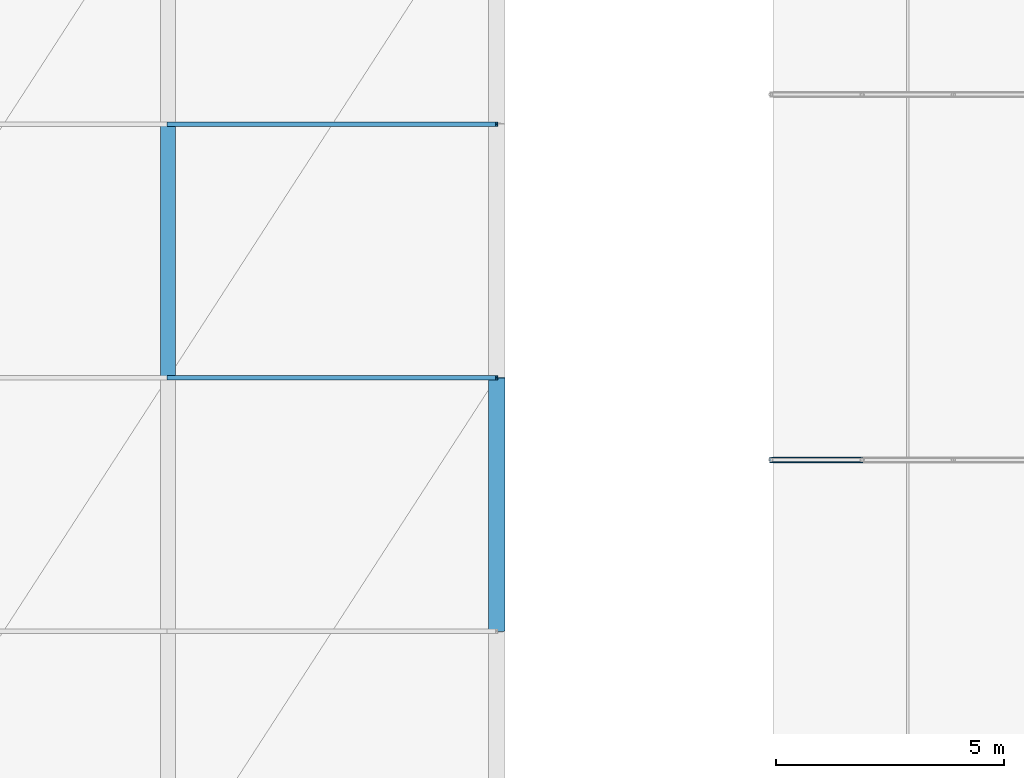
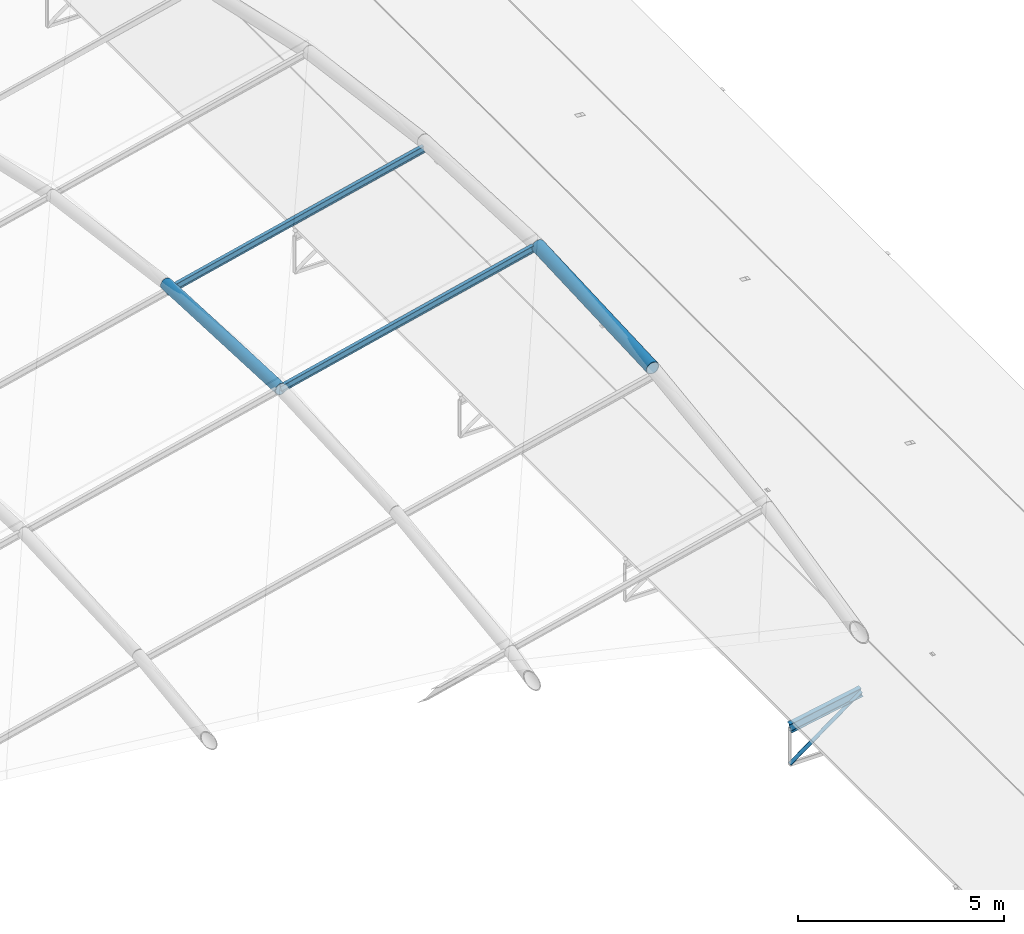
# One storey, part 11 of 54: 6 members.
"""IFC4 building model written with IfcOpenShell, lengths in metres."""

from ifc_helpers import new_model, si_unit, derived_unit, direction, frame, origin, origin_2d, place, context, subcontext, project, spatial, hollow_circle, i_section, extrude, material, material_profile, profile_set, type_object, element, save


model = new_model("IFC4")

# Units and contexts
model_context = context("Model", 3, precision=1e-05, world=origin(), true_north=direction((0.0, 1.0)))
body_context = subcontext(model_context, "Body", "Model", "MODEL_VIEW")
ifc_project = project(units=[si_unit("LENGTHUNIT", "METRE"), si_unit("AREAUNIT", "SQUARE_METRE"), si_unit("VOLUMEUNIT", "CUBIC_METRE"), si_unit("PLANEANGLEUNIT", "RADIAN"), si_unit("MASSUNIT", "GRAM", prefix="KILO"), derived_unit("THERMALTRANSMITTANCEUNIT", [(si_unit("POWERUNIT", "WATT"), 1), (si_unit("LENGTHUNIT", "METRE"), -2), (si_unit("THERMODYNAMICTEMPERATUREUNIT", "KELVIN"), -1)])], contexts=[model_context])

# Site, building, storey
site_placement = place(None, origin())
site = spatial("IfcSite", under=ifc_project, at=site_placement, CompositionType="ELEMENT")
building_placement = place(site_placement, origin())
building = spatial("IfcBuilding", under=site, at=building_placement, Name="Keldorne Ridge Multi-Sports Centre", CompositionType="ELEMENT")
storey_placement = place(building_placement, frame((0.0, 0.0, 22.199951171875)))
storey = spatial("IfcBuildingStorey", under=building, at=storey_placement, Name="ROOF", CompositionType="ELEMENT", Elevation=22.199951171875)

# Members
ifc_material = material(Name="Steel S355", Category="steel")
ifc_material_profile_1 = material_profile(ifc_material, i_section(OverallWidth=0.10009765625, OverallDepth=0.199951171875, WebThickness=0.005615234375, FlangeThickness=0.008544921875, FilletRadius=0.011962890625, at=origin_2d()), Name="IPE 200")
ifc_profile_set_1 = profile_set([ifc_material_profile_1], Name="Steel S355")
member_type_1 = type_object("IfcMemberType", Name="MEM-PR-01", PredefinedType="PURLIN", material=ifc_profile_set_1)
for number, where, z_axis, x_axis, name in (
    (1, (70.800048828125, 31.800048828125, 0.920166015625), (0.972632545932, 0.0, 0.232348726259), (0.0, 1.0, 0.0), "Main Hall roof purlin 10.5"),
    (2, (70.800048828125, 37.35009765625, 0.420166015625), (0.972632545932, 0.0, 0.232348726259), (0.0, 1.0, 0.0), "Main Hall roof purlin 10.6"),
):
    element("IfcMember", number, at=place(storey_placement, frame(where, z_axis=z_axis, x_axis=x_axis)), inside=storey, type_object=member_type_1, Name=name, PredefinedType="PURLIN", context=body_context, shape_type="SweptSolid", body=[
        extrude(i_section(OverallWidth=0.10009765625, OverallDepth=0.199951171875, WebThickness=0.005615234375, FlangeThickness=0.008544921875, FilletRadius=0.011962890625, at=origin_2d()), origin(), (0.0, 0.0, 1.0), 7.402587890625),
    ])
ifc_material_profile_2 = material_profile(ifc_material, i_section(OverallWidth=0.135009765625, OverallDepth=0.27001953125, WebThickness=0.006591796875, FlangeThickness=0.01025390625, FilletRadius=0.014892578125, at=origin_2d()), Name="IPE 270")
ifc_profile_set_2 = profile_set([ifc_material_profile_2], Name="Steel S355")
member_type_2 = type_object("IfcMemberType", Name="MEM-RF-02", PredefinedType="RAFTER", material=ifc_profile_set_2)
member_1_placement = place(storey_placement, frame((84.0, 30.0, -12.639892578125), z_axis=(0.982435006317, 0.0, 0.186605086649), x_axis=(0.0, 1.0, 0.0)))
element("IfcMember", 3, at=member_1_placement, inside=storey, type_object=member_type_2, Name="Public Passage bowstring arch top chord 04.1", PredefinedType="RAFTER", context=body_context, shape_type="SweptSolid", body=[
    extrude(i_section(OverallWidth=0.135009765625, OverallDepth=0.27001953125, WebThickness=0.006591796875, FlangeThickness=0.01025390625, FilletRadius=0.014892578125, at=origin_2d()), origin(), (0.0, 0.0, 1.0), 2.03564453125),
])
ifc_material_profile_3 = material_profile(ifc_material, hollow_circle(Radius=0.177734375, WallThickness=0.01611328125, at=origin_2d()), Name="CHS 355.6x16")
ifc_profile_set_3 = profile_set([ifc_material_profile_3], Name="Steel S355")
member_type_3 = type_object("IfcMemberType", Name="MEM-TC-01", PredefinedType="CHORD", material=ifc_profile_set_3)
member_2_placement = place(storey_placement, frame((78.0, 26.25, 2.3701171875), z_axis=(0.0, 0.99898703105, 0.044999019918), x_axis=(-1.0, 0.0, 0.0)))
element("IfcMember", 4, at=member_2_placement, inside=storey, type_object=member_type_3, Name="Main Hall ROOF TRUSS AT-11 top chord 4", PredefinedType="CHORD", context=body_context, shape_type="SweptSolid", body=[
    extrude(hollow_circle(Radius=0.177734375, WallThickness=0.01611328125, at=origin_2d()), origin(), (0.0, 0.0, 1.0), 5.5556640625),
])
ifc_material_profile_4 = material_profile(ifc_material, hollow_circle(Radius=0.161865234375, WallThickness=0.01611328125, at=origin_2d()), Name="CHS 323.9x16")
ifc_profile_set_4 = profile_set([ifc_material_profile_4], Name="Steel S355")
member_type_4 = type_object("IfcMemberType", Name="MEM-TC-02", PredefinedType="CHORD", material=ifc_profile_set_4)
member_3_placement = place(storey_placement, frame((70.800048828125, 31.800048828125, 0.900146484375), z_axis=(0.0, 0.99898703105, -0.044999019918), x_axis=(-1.0, 0.0, 0.0)))
element("IfcMember", 5, at=member_3_placement, inside=storey, type_object=member_type_4, Name="Main Hall ROOF TRUSS AT-10 top chord 5", PredefinedType="CHORD", context=body_context, shape_type="SweptSolid", body=[
    extrude(hollow_circle(Radius=0.161865234375, WallThickness=0.01611328125, at=origin_2d()), origin(), (0.0, 0.0, 1.0), 5.5556640625),
])
ifc_material_profile_5 = material_profile(ifc_material, hollow_circle(Radius=0.05078125, WallThickness=0.00634765625, at=origin_2d()), Name="CHS 101.6x6.3")
ifc_profile_set_5 = profile_set([ifc_material_profile_5], Name="Steel S355")
member_type_5 = type_object("IfcMemberType", Name="MEM-TD-05", PredefinedType="BRACE", material=ifc_profile_set_5)
member_4_placement = place(storey_placement, frame((84.0, 30.0, -13.719970703125), z_axis=(0.8076945033, 0.0, 0.589601212125), x_axis=(0.0, 1.0, 0.0)))
element("IfcMember", 6, at=member_4_placement, inside=storey, type_object=member_type_5, Name="Public Passage bowstring web diagonal 04.1", PredefinedType="BRACE", context=body_context, shape_type="SweptSolid", body=[
    extrude(hollow_circle(Radius=0.05078125, WallThickness=0.00634765625, at=origin_2d()), origin(), (0.0, 0.0, 1.0), 2.47607421875),
])

save(model, "model.ifc")
